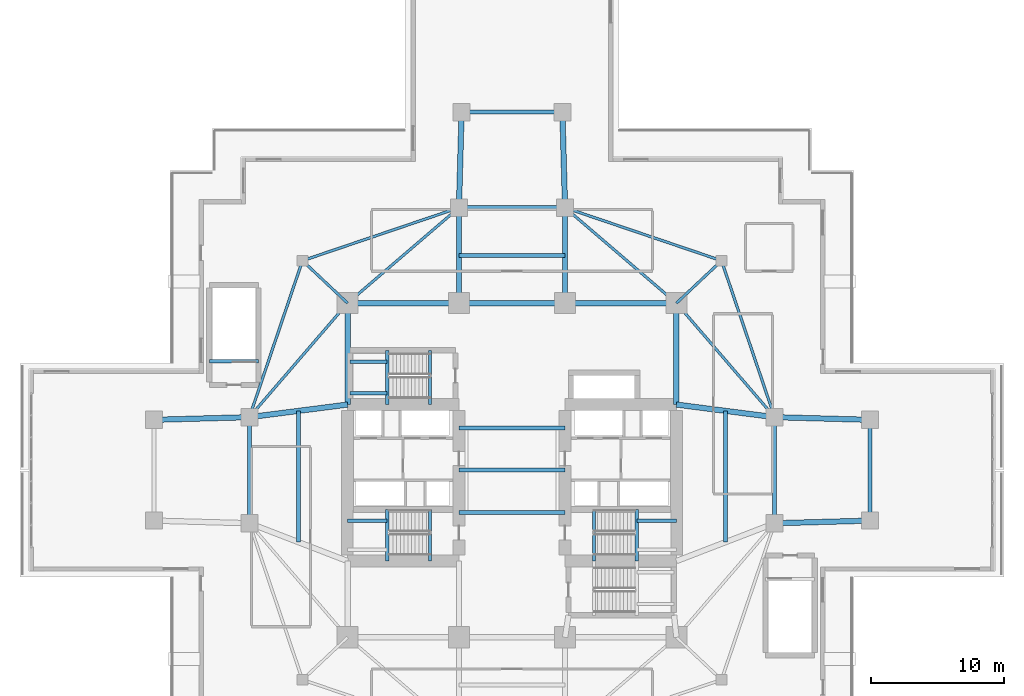
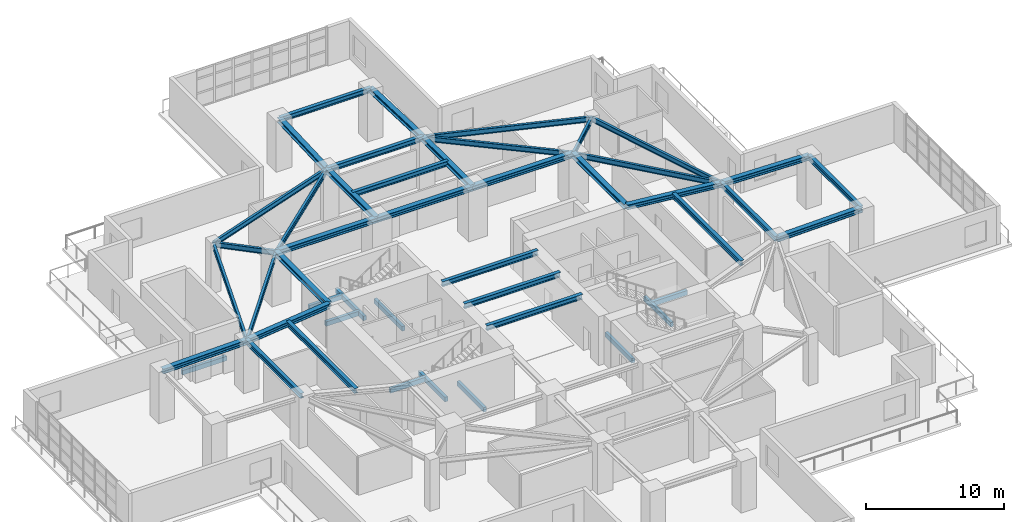
# One storey, part 10 of 24: 46 beams.
"""IFC4 building model written with IfcOpenShell, lengths in metres."""

from ifc_helpers import new_model, si_unit, direction, frame, origin, origin_2d, place, context, subcontext, project, spatial, rectangle, i_section, extrude, material, material_profile, profile_set, type_object, element, save


model = new_model("IFC4")

# Units and contexts
model_context = context("Model", 3, precision=1e-05, world=origin(), true_north=direction((0.0, 1.0)))
body_context = subcontext(model_context, "Body", "Model", "MODEL_VIEW")
ifc_project = project(units=[si_unit("LENGTHUNIT", "METRE"), si_unit("AREAUNIT", "SQUARE_METRE"), si_unit("VOLUMEUNIT", "CUBIC_METRE"), si_unit("PLANEANGLEUNIT", "RADIAN"), si_unit("MASSUNIT", "GRAM", prefix="KILO")], contexts=[model_context])

# Site, building, storey
site_placement = place(None, origin())
site = spatial("IfcSite", under=ifc_project, at=site_placement, CompositionType="ELEMENT")
building_placement = place(site_placement, origin())
building = spatial("IfcBuilding", under=site, at=building_placement, Name="Qingluan Cross Belvedere", CompositionType="ELEMENT")
storey_placement = place(building_placement, frame((0.0, 0.0, 19.199951171875)))
storey = spatial("IfcBuildingStorey", under=building, at=storey_placement, Name="L05", CompositionType="ELEMENT", Elevation=19.199951171875)

# Beams
ifc_material_1 = material(Name="Concrete C45", Category="concrete")
ifc_material_profile_1 = material_profile(ifc_material_1, rectangle(XDim=0.25, YDim=0.39990234375, at=origin_2d()), Name="RC250x400")
ifc_profile_set_1 = profile_set([ifc_material_profile_1], Name="Concrete C45")
beam_type_1 = type_object("IfcBeamType", Name="RC_Lintel_RC250x400", PredefinedType="LINTEL", material=ifc_profile_set_1)
for number, where, z_axis, x_axis, name in (
    (1, (-6.179931640625, -6.85009765625, -0.199951171875), (0.0, 1.0, 0.0), (-1.0, 0.0, 0.0), "Stair ST1 landing beam L05"),
    (2, (6.179931640625, -6.85009765625, -0.199951171875), (0.0, 1.0, 0.0), (-1.0, 0.0, 0.0), "Stair ST2 landing beam L05"),
):
    element("IfcBeam", number, at=place(storey_placement, frame(where, z_axis=z_axis, x_axis=x_axis)), inside=storey, type_object=beam_type_1, Name=name, PredefinedType="LINTEL", context=body_context, shape_type="SweptSolid", body=[
        extrude(rectangle(XDim=0.25, YDim=0.39990234375, at=origin_2d()), origin(), (0.0, 0.0, 1.0), 3.89013671875),
    ])
beam_1_placement = place(storey_placement, frame((-6.179931640625, 4.949951171875, -0.199951171875), z_axis=(0.0, 1.0, 0.0), x_axis=(-1.0, 0.0, 0.0)))
element("IfcBeam", 3, at=beam_1_placement, inside=storey, type_object=beam_type_1, Name="Stair ST3 landing beam L05", PredefinedType="LINTEL", context=body_context, shape_type="SweptSolid", body=[
    extrude(rectangle(XDim=0.25, YDim=0.39990234375, at=origin_2d()), origin(), (0.0, 0.0, 1.0), 4.090087890625),
])
beam_2_placement = place(storey_placement, frame((-22.820068359375, 8.2099609375, -0.199951171875), z_axis=(1.0, 0.0, 0.0), x_axis=(0.0, 1.0, 0.0)))
element("IfcBeam", 4, at=beam_2_placement, inside=storey, type_object=beam_type_1, Name="Stair ST5 landing beam L05", PredefinedType="LINTEL", context=body_context, shape_type="SweptSolid", body=[
    extrude(rectangle(XDim=0.25, YDim=0.39990234375, at=origin_2d()), origin(), (0.0, 0.0, 1.0), 3.699951171875),
])
beam_3_placement = place(storey_placement, frame((-9.409912109375, -6.85009765625, 1.85009765625), z_axis=(0.0, 1.0, 0.0), x_axis=(-1.0, 0.0, 0.0)))
element("IfcBeam", 5, at=beam_3_placement, inside=storey, type_object=beam_type_1, Name="Stair ST1 beam A L05", PredefinedType="LINTEL", context=body_context, shape_type="SweptSolid", body=[
    extrude(rectangle(XDim=0.25, YDim=0.39990234375, at=origin_2d()), origin(), (0.0, 0.0, 1.0), 3.89013671875),
])
beam_4_placement = place(storey_placement, frame((-12.39990234375, -3.81005859375, 1.85009765625), z_axis=(1.0, 0.0, 0.0), x_axis=(0.0, 1.0, 0.0)))
element("IfcBeam", 6, at=beam_4_placement, inside=storey, type_object=beam_type_1, Name="Stair ST1 beam C L05", PredefinedType="LINTEL", context=body_context, shape_type="SweptSolid", body=[
    extrude(rectangle(XDim=0.25, YDim=0.39990234375, at=origin_2d()), origin(), (0.0, 0.0, 1.0), 2.989990234375),
])
beam_5_placement = place(storey_placement, frame((9.409912109375, -6.85009765625, 1.85009765625), z_axis=(0.0, 1.0, 0.0), x_axis=(-1.0, 0.0, 0.0)))
element("IfcBeam", 7, at=beam_5_placement, inside=storey, type_object=beam_type_1, Name="Stair ST2 beam A L05", PredefinedType="LINTEL", context=body_context, shape_type="SweptSolid", body=[
    extrude(rectangle(XDim=0.25, YDim=0.39990234375, at=origin_2d()), origin(), (0.0, 0.0, 1.0), 3.89013671875),
])
beam_6_placement = place(storey_placement, frame((12.39990234375, -3.81005859375, 1.85009765625), z_axis=(-1.0, 0.0, 0.0), x_axis=(0.0, -1.0, 0.0)))
element("IfcBeam", 8, at=beam_6_placement, inside=storey, type_object=beam_type_1, Name="Stair ST2 beam C L05", PredefinedType="LINTEL", context=body_context, shape_type="SweptSolid", body=[
    extrude(rectangle(XDim=0.25, YDim=0.39990234375, at=origin_2d()), origin(), (0.0, 0.0, 1.0), 2.989990234375),
])
beam_7_placement = place(storey_placement, frame((-9.409912109375, 4.949951171875, 1.85009765625), z_axis=(0.0, 1.0, 0.0), x_axis=(-1.0, 0.0, 0.0)))
element("IfcBeam", 9, at=beam_7_placement, inside=storey, type_object=beam_type_1, Name="Stair ST3 beam A L05", PredefinedType="LINTEL", context=body_context, shape_type="SweptSolid", body=[
    extrude(rectangle(XDim=0.25, YDim=0.39990234375, at=origin_2d()), origin(), (0.0, 0.0, 1.0), 4.090087890625),
])
for number, where, z_axis, x_axis, name in (
    (10, (-12.219970703125, 5.800048828125, 1.85009765625), (1.0, 0.0, 0.0), (0.0, 1.0, 0.0), "Stair ST3 beam B L05"),
    (11, (-12.219970703125, 8.18994140625, 1.85009765625), (1.0, 0.0, 0.0), (0.0, 1.0, 0.0), "Stair ST3 beam C L05"),
):
    element("IfcBeam", number, at=place(storey_placement, frame(where, z_axis=z_axis, x_axis=x_axis)), inside=storey, type_object=beam_type_1, Name=name, PredefinedType="LINTEL", context=body_context, shape_type="SweptSolid", body=[
        extrude(rectangle(XDim=0.25, YDim=0.39990234375, at=origin_2d()), origin(), (0.0, 0.0, 1.0), 2.81005859375),
    ])
ifc_material_2 = material(Name="Steel Q420GJB", Category="steel")
ifc_material_profile_2 = material_profile(ifc_material_2, i_section(OverallWidth=0.300048828125, OverallDepth=0.43994140625, WebThickness=0.010986328125, FlangeThickness=0.01806640625, FilletRadius=0.02001953125, at=origin_2d()), Name="HM440x300x11x18")
ifc_profile_set_2 = profile_set([ifc_material_profile_2], Name="Steel Q420GJB")
beam_type_2 = type_object("IfcBeamType", Name="Steel_Beam_HM440x300x11x18", PredefinedType="BEAM", material=ifc_profile_set_2)
for number, where, z_axis, x_axis, name in (
    (12, (-4.0, -3.199951171875, 4.080078125), (1.0, 0.0, 0.0), (0.0, 1.0, 0.0), "Hall beam L05-CH1"),
    (13, (-4.0, 0.0, 4.080078125), (1.0, 0.0, 0.0), (0.0, 1.0, 0.0), "Hall beam L05-CH2"),
    (14, (-4.0, 3.199951171875, 4.080078125), (1.0, 0.0, 0.0), (0.0, 1.0, 0.0), "Hall beam L05-CH3"),
    (15, (19.800048828125, -4.0, 4.080078125), (0.0, 1.0, 0.0), (-1.0, 0.0, 0.0), "Arm E tie L05"),
):
    element("IfcBeam", number, at=place(storey_placement, frame(where, z_axis=z_axis, x_axis=x_axis)), inside=storey, type_object=beam_type_2, Name=name, PredefinedType="BEAM", context=body_context, shape_type="SweptSolid", body=[
        extrude(i_section(OverallWidth=0.300048828125, OverallDepth=0.43994140625, WebThickness=0.010986328125, FlangeThickness=0.01806640625, FilletRadius=0.02001953125, at=origin_2d()), origin(), (0.0, 0.0, 1.0), 8.0),
    ])
beam_8_placement = place(storey_placement, frame((16.10009765625, -5.425048828125, 4.080078125), z_axis=(0.0, 1.0, 0.0), x_axis=(-1.0, 0.0, 0.0)))
element("IfcBeam", 16, at=beam_8_placement, inside=storey, type_object=beam_type_2, Name="Arm E beam L05", PredefinedType="BEAM", context=body_context, shape_type="SweptSolid", body=[
    extrude(i_section(OverallWidth=0.300048828125, OverallDepth=0.43994140625, WebThickness=0.010986328125, FlangeThickness=0.01806640625, FilletRadius=0.02001953125, at=origin_2d()), origin(), (0.0, 0.0, 1.0), 9.900146484375),
])
beam_9_placement = place(storey_placement, frame((27.0, -3.800048828125, 4.080078125), z_axis=(0.0, 1.0, 0.0), x_axis=(-1.0, 0.0, 0.0)))
element("IfcBeam", 17, at=beam_9_placement, inside=storey, type_object=beam_type_2, Name="Arm E tip transverse beam L05", PredefinedType="BEAM", context=body_context, shape_type="SweptSolid", body=[
    extrude(i_section(OverallWidth=0.300048828125, OverallDepth=0.43994140625, WebThickness=0.010986328125, FlangeThickness=0.01806640625, FilletRadius=0.02001953125, at=origin_2d()), origin(), (0.0, 0.0, 1.0), 7.60009765625),
])
beam_10_placement = place(storey_placement, frame((-19.800048828125, -4.0, 4.080078125), z_axis=(0.0, 1.0, 0.0), x_axis=(-1.0, 0.0, 0.0)))
element("IfcBeam", 18, at=beam_10_placement, inside=storey, type_object=beam_type_2, Name="Arm W tie L05", PredefinedType="BEAM", context=body_context, shape_type="SweptSolid", body=[
    extrude(i_section(OverallWidth=0.300048828125, OverallDepth=0.43994140625, WebThickness=0.010986328125, FlangeThickness=0.01806640625, FilletRadius=0.02001953125, at=origin_2d()), origin(), (0.0, 0.0, 1.0), 8.0),
])
beam_11_placement = place(storey_placement, frame((-16.10009765625, -5.425048828125, 4.080078125), z_axis=(0.0, 1.0, 0.0), x_axis=(-1.0, 0.0, 0.0)))
element("IfcBeam", 19, at=beam_11_placement, inside=storey, type_object=beam_type_2, Name="Arm W beam L05", PredefinedType="BEAM", context=body_context, shape_type="SweptSolid", body=[
    extrude(i_section(OverallWidth=0.300048828125, OverallDepth=0.43994140625, WebThickness=0.010986328125, FlangeThickness=0.01806640625, FilletRadius=0.02001953125, at=origin_2d()), origin(), (0.0, 0.0, 1.0), 9.900146484375),
])
for number, where, z_axis, x_axis, name in (
    (20, (-4.0, 19.800048828125, 4.080078125), (1.0, 0.0, 0.0), (0.0, 1.0, 0.0), "Arm N tie L05"),
    (21, (-4.0, 16.199951171875, 4.080078125), (1.0, 0.0, 0.0), (0.0, 1.0, 0.0), "Arm N beam L05"),
):
    element("IfcBeam", number, at=place(storey_placement, frame(where, z_axis=z_axis, x_axis=x_axis)), inside=storey, type_object=beam_type_2, Name=name, PredefinedType="BEAM", context=body_context, shape_type="SweptSolid", body=[
        extrude(i_section(OverallWidth=0.300048828125, OverallDepth=0.43994140625, WebThickness=0.010986328125, FlangeThickness=0.01806640625, FilletRadius=0.02001953125, at=origin_2d()), origin(), (0.0, 0.0, 1.0), 8.0),
    ])
beam_12_placement = place(storey_placement, frame((-3.800048828125, 27.0, 4.080078125), z_axis=(1.0, 0.0, 0.0), x_axis=(0.0, 1.0, 0.0)))
element("IfcBeam", 22, at=beam_12_placement, inside=storey, type_object=beam_type_2, Name="Arm N tip transverse beam L05", PredefinedType="BEAM", context=body_context, shape_type="SweptSolid", body=[
    extrude(i_section(OverallWidth=0.300048828125, OverallDepth=0.43994140625, WebThickness=0.010986328125, FlangeThickness=0.01806640625, FilletRadius=0.02001953125, at=origin_2d()), origin(), (0.0, 0.0, 1.0), 7.60009765625),
])
ifc_material_3 = material(Name="Steel Q420GJB", Category="steel")
ifc_material_profile_3 = material_profile(ifc_material_3, i_section(OverallWidth=0.199951171875, OverallDepth=0.449951171875, WebThickness=0.009033203125, FlangeThickness=0.013916015625, FilletRadius=0.01611328125, at=origin_2d()), Name="HN450x200x9x14")
ifc_profile_set_3 = profile_set([ifc_material_profile_3], Name="Steel Q420GJB")
beam_type_3 = type_object("IfcBeamType", Name="Steel_Beam_HN450x200x9x14", PredefinedType="JOIST", material=ifc_profile_set_3)
beam_13_placement = place(storey_placement, frame((12.39990234375, 12.60009765625, 4.054931640625), z_axis=(0.728219948308, 0.685343495546, 0.0), x_axis=(-0.685343495546, 0.728219948308, 0.0)))
element("IfcBeam", 23, at=beam_13_placement, inside=storey, type_object=beam_type_3, Name="Corner beam 1 L05-RNE", PredefinedType="JOIST", context=body_context, shape_type="SweptSolid", body=[
    extrude(i_section(OverallWidth=0.199951171875, OverallDepth=0.449951171875, WebThickness=0.009033203125, FlangeThickness=0.013916015625, FilletRadius=0.01611328125, at=origin_2d()), origin(), (0.0, 0.0, 1.0), 4.669189453125),
])
for number, where, z_axis, x_axis, name in (
    (24, (15.800048828125, 15.800048828125, 4.054931640625), (-0.947066283324, 0.321038089628, 0.0), (-0.321038089628, -0.947066283324, 0.0), "Corner beam 2 L05-RNE"),
    (25, (15.800048828125, 15.800048828125, 4.054931640625), (0.321038089628, -0.947066283324, 0.0), (0.947066283324, 0.321038089628, 0.0), "Corner beam 3 L05-RNE"),
):
    element("IfcBeam", number, at=place(storey_placement, frame(where, z_axis=z_axis, x_axis=x_axis)), inside=storey, type_object=beam_type_3, Name=name, PredefinedType="JOIST", context=body_context, shape_type="SweptSolid", body=[
        extrude(i_section(OverallWidth=0.199951171875, OverallDepth=0.449951171875, WebThickness=0.009033203125, FlangeThickness=0.013916015625, FilletRadius=0.01611328125, at=origin_2d()), origin(), (0.0, 0.0, 1.0), 12.45947265625),
    ])
beam_14_placement = place(storey_placement, frame((12.39990234375, 12.60009765625, 4.054931640625), z_axis=(0.652245077546, -0.75800815221, 0.0), x_axis=(0.75800815221, 0.652245077546, 0.0)))
element("IfcBeam", 26, at=beam_14_placement, inside=storey, type_object=beam_type_3, Name="Corner beam 4 L05-RNE", PredefinedType="JOIST", context=body_context, shape_type="SweptSolid", body=[
    extrude(i_section(OverallWidth=0.199951171875, OverallDepth=0.449951171875, WebThickness=0.009033203125, FlangeThickness=0.013916015625, FilletRadius=0.01611328125, at=origin_2d()), origin(), (0.0, 0.0, 1.0), 11.345703125),
])
beam_15_placement = place(storey_placement, frame((12.39990234375, 12.60009765625, 4.054931640625), z_axis=(-0.759255044656, 0.650793190779, 0.0), x_axis=(-0.650793190779, -0.759255044656, 0.0)))
element("IfcBeam", 27, at=beam_15_placement, inside=storey, type_object=beam_type_3, Name="Corner beam 5 L05-RNE", PredefinedType="JOIST", context=body_context, shape_type="SweptSolid", body=[
    extrude(i_section(OverallWidth=0.199951171875, OverallDepth=0.449951171875, WebThickness=0.009033203125, FlangeThickness=0.013916015625, FilletRadius=0.01611328125, at=origin_2d()), origin(), (0.0, 0.0, 1.0), 11.063232421875),
])
beam_16_placement = place(storey_placement, frame((-12.39990234375, 12.60009765625, 4.054931640625), z_axis=(-0.728219948308, 0.685343495546, 0.0), x_axis=(-0.685343495546, -0.728219948308, 0.0)))
element("IfcBeam", 28, at=beam_16_placement, inside=storey, type_object=beam_type_3, Name="Corner beam 1 L05-RNW", PredefinedType="JOIST", context=body_context, shape_type="SweptSolid", body=[
    extrude(i_section(OverallWidth=0.199951171875, OverallDepth=0.449951171875, WebThickness=0.009033203125, FlangeThickness=0.013916015625, FilletRadius=0.01611328125, at=origin_2d()), origin(), (0.0, 0.0, 1.0), 4.669189453125),
])
for number, where, z_axis, x_axis, name in (
    (29, (-15.800048828125, 15.800048828125, 4.054931640625), (0.947066283324, 0.321038089628, 0.0), (-0.321038089628, 0.947066283324, 0.0), "Corner beam 2 L05-RNW"),
    (30, (-15.800048828125, 15.800048828125, 4.054931640625), (-0.321038089628, -0.947066283324, 0.0), (0.947066283324, -0.321038089628, 0.0), "Corner beam 3 L05-RNW"),
):
    element("IfcBeam", number, at=place(storey_placement, frame(where, z_axis=z_axis, x_axis=x_axis)), inside=storey, type_object=beam_type_3, Name=name, PredefinedType="JOIST", context=body_context, shape_type="SweptSolid", body=[
        extrude(i_section(OverallWidth=0.199951171875, OverallDepth=0.449951171875, WebThickness=0.009033203125, FlangeThickness=0.013916015625, FilletRadius=0.01611328125, at=origin_2d()), origin(), (0.0, 0.0, 1.0), 12.45947265625),
    ])
beam_17_placement = place(storey_placement, frame((-12.39990234375, 12.60009765625, 4.054931640625), z_axis=(-0.652245077546, -0.75800815221, 0.0), x_axis=(0.75800815221, -0.652245077546, 0.0)))
element("IfcBeam", 31, at=beam_17_placement, inside=storey, type_object=beam_type_3, Name="Corner beam 4 L05-RNW", PredefinedType="JOIST", context=body_context, shape_type="SweptSolid", body=[
    extrude(i_section(OverallWidth=0.199951171875, OverallDepth=0.449951171875, WebThickness=0.009033203125, FlangeThickness=0.013916015625, FilletRadius=0.01611328125, at=origin_2d()), origin(), (0.0, 0.0, 1.0), 11.345703125),
])
beam_18_placement = place(storey_placement, frame((-12.39990234375, 12.60009765625, 4.054931640625), z_axis=(0.759255044656, 0.650793190779, 0.0), x_axis=(-0.650793190779, 0.759255044656, 0.0)))
element("IfcBeam", 32, at=beam_18_placement, inside=storey, type_object=beam_type_3, Name="Corner beam 5 L05-RNW", PredefinedType="JOIST", context=body_context, shape_type="SweptSolid", body=[
    extrude(i_section(OverallWidth=0.199951171875, OverallDepth=0.449951171875, WebThickness=0.009033203125, FlangeThickness=0.013916015625, FilletRadius=0.01611328125, at=origin_2d()), origin(), (0.0, 0.0, 1.0), 11.063232421875),
])
ifc_material_4 = material(Name="Steel Q420GJB", Category="steel")
ifc_material_profile_4 = material_profile(ifc_material_4, i_section(OverallWidth=0.406982421875, OverallDepth=0.427978515625, WebThickness=0.02001953125, FlangeThickness=0.034912109375, FilletRadius=0.02197265625, at=origin_2d()), Name="HW428x407x20x35")
ifc_profile_set_4 = profile_set([ifc_material_profile_4], Name="Steel Q420GJB")
beam_type_4 = type_object("IfcBeamType", Name="Steel_Girder_HW428x407x20x35", PredefinedType="USERDEFINED", material=ifc_profile_set_4)
beam_19_placement = place(storey_placement, frame((-12.39990234375, 12.60009765625, 4.0859375), z_axis=(1.0, 0.0, 0.0), x_axis=(0.0, 1.0, 0.0)))
element("IfcBeam", 33, at=beam_19_placement, inside=storey, type_object=beam_type_4, Name="Hub girder L05-HG-N1", ObjectType="GIRDER", PredefinedType="USERDEFINED", context=body_context, shape_type="SweptSolid", body=[
    extrude(i_section(OverallWidth=0.406982421875, OverallDepth=0.427978515625, WebThickness=0.02001953125, FlangeThickness=0.034912109375, FilletRadius=0.02197265625, at=origin_2d()), origin(), (0.0, 0.0, 1.0), 8.39990234375),
])
beam_20_placement = place(storey_placement, frame((-4.0, 12.60009765625, 4.0859375), z_axis=(1.0, 0.0, 0.0), x_axis=(0.0, 1.0, 0.0)))
element("IfcBeam", 34, at=beam_20_placement, inside=storey, type_object=beam_type_4, Name="Hub girder L05-HG-N2", ObjectType="GIRDER", PredefinedType="USERDEFINED", context=body_context, shape_type="SweptSolid", body=[
    extrude(i_section(OverallWidth=0.406982421875, OverallDepth=0.427978515625, WebThickness=0.02001953125, FlangeThickness=0.034912109375, FilletRadius=0.02197265625, at=origin_2d()), origin(), (0.0, 0.0, 1.0), 8.0),
])
beam_21_placement = place(storey_placement, frame((4.0, 12.60009765625, 4.0859375), z_axis=(1.0, 0.0, 0.0), x_axis=(0.0, 1.0, 0.0)))
element("IfcBeam", 35, at=beam_21_placement, inside=storey, type_object=beam_type_4, Name="Hub girder L05-HG-N3", ObjectType="GIRDER", PredefinedType="USERDEFINED", context=body_context, shape_type="SweptSolid", body=[
    extrude(i_section(OverallWidth=0.406982421875, OverallDepth=0.427978515625, WebThickness=0.02001953125, FlangeThickness=0.034912109375, FilletRadius=0.02197265625, at=origin_2d()), origin(), (0.0, 0.0, 1.0), 8.39990234375),
])
for number, where, z_axis, x_axis, name in (
    (36, (-12.39990234375, 4.949951171875, 4.0859375), (0.0, 1.0, 0.0), (-1.0, 0.0, 0.0), "Hub girder L05-HG-W2"),
    (37, (12.39990234375, 4.949951171875, 4.0859375), (0.0, 1.0, 0.0), (-1.0, 0.0, 0.0), "Hub girder L05-HG-E2"),
):
    element("IfcBeam", number, at=place(storey_placement, frame(where, z_axis=z_axis, x_axis=x_axis)), inside=storey, type_object=beam_type_4, Name=name, ObjectType="GIRDER", PredefinedType="USERDEFINED", context=body_context, shape_type="SweptSolid", body=[
        extrude(i_section(OverallWidth=0.406982421875, OverallDepth=0.427978515625, WebThickness=0.02001953125, FlangeThickness=0.034912109375, FilletRadius=0.02197265625, at=origin_2d()), origin(), (0.0, 0.0, 1.0), 7.650146484375),
    ])
beam_22_placement = place(storey_placement, frame((12.39990234375, 4.949951171875, 4.0859375), z_axis=(0.991861120628, -0.12732445714, 0.0), x_axis=(0.12732445714, 0.991861120628, 0.0)))
element("IfcBeam", 38, at=beam_22_placement, inside=storey, type_object=beam_type_4, Name="Arm E radial girder B L05", ObjectType="GIRDER", PredefinedType="USERDEFINED", context=body_context, shape_type="SweptSolid", body=[
    extrude(i_section(OverallWidth=0.406982421875, OverallDepth=0.427978515625, WebThickness=0.02001953125, FlangeThickness=0.034912109375, FilletRadius=0.02197265625, at=origin_2d()), origin(), (0.0, 0.0, 1.0), 7.4609375),
])
for number, where, z_axis, x_axis, name in (
    (39, (19.800048828125, -4.0, 4.0859375), (0.999614603568, 0.027760481514, 0.0), (-0.027760481514, 0.999614603568, 0.0), "Arm E outer radial girder A L05"),
    (40, (19.800048828125, 4.0, 4.0859375), (0.999614603568, -0.027760481514, 0.0), (0.027760481514, 0.999614603568, 0.0), "Arm E outer radial girder B L05"),
):
    element("IfcBeam", number, at=place(storey_placement, frame(where, z_axis=z_axis, x_axis=x_axis)), inside=storey, type_object=beam_type_4, Name=name, ObjectType="GIRDER", PredefinedType="USERDEFINED", context=body_context, shape_type="SweptSolid", body=[
        extrude(i_section(OverallWidth=0.406982421875, OverallDepth=0.427978515625, WebThickness=0.02001953125, FlangeThickness=0.034912109375, FilletRadius=0.02197265625, at=origin_2d()), origin(), (0.0, 0.0, 1.0), 7.20263671875),
    ])
beam_23_placement = place(storey_placement, frame((-12.39990234375, 4.949951171875, 4.0859375), z_axis=(-0.991861120628, -0.12732445714, 0.0), x_axis=(0.12732445714, -0.991861120628, 0.0)))
element("IfcBeam", 41, at=beam_23_placement, inside=storey, type_object=beam_type_4, Name="Arm W radial girder B L05", ObjectType="GIRDER", PredefinedType="USERDEFINED", context=body_context, shape_type="SweptSolid", body=[
    extrude(i_section(OverallWidth=0.406982421875, OverallDepth=0.427978515625, WebThickness=0.02001953125, FlangeThickness=0.034912109375, FilletRadius=0.02197265625, at=origin_2d()), origin(), (0.0, 0.0, 1.0), 7.4609375),
])
beam_24_placement = place(storey_placement, frame((-19.800048828125, 4.0, 4.0859375), z_axis=(-0.999614603568, -0.027760481514, 0.0), x_axis=(0.027760481514, -0.999614603568, 0.0)))
element("IfcBeam", 42, at=beam_24_placement, inside=storey, type_object=beam_type_4, Name="Arm W outer radial girder B L05", ObjectType="GIRDER", PredefinedType="USERDEFINED", context=body_context, shape_type="SweptSolid", body=[
    extrude(i_section(OverallWidth=0.406982421875, OverallDepth=0.427978515625, WebThickness=0.02001953125, FlangeThickness=0.034912109375, FilletRadius=0.02197265625, at=origin_2d()), origin(), (0.0, 0.0, 1.0), 7.20263671875),
])
for number, where, z_axis, x_axis, name in (
    (43, (-4.0, 12.60009765625, 4.0859375), (0.0, 1.0, 0.0), (-1.0, 0.0, 0.0), "Arm N radial girder A L05"),
    (44, (4.0, 12.60009765625, 4.0859375), (0.0, 1.0, 0.0), (-1.0, 0.0, 0.0), "Arm N radial girder B L05"),
):
    element("IfcBeam", number, at=place(storey_placement, frame(where, z_axis=z_axis, x_axis=x_axis)), inside=storey, type_object=beam_type_4, Name=name, ObjectType="GIRDER", PredefinedType="USERDEFINED", context=body_context, shape_type="SweptSolid", body=[
        extrude(i_section(OverallWidth=0.406982421875, OverallDepth=0.427978515625, WebThickness=0.02001953125, FlangeThickness=0.034912109375, FilletRadius=0.02197265625, at=origin_2d()), origin(), (0.0, 0.0, 1.0), 7.199951171875),
    ])
for number, where, z_axis, x_axis, name in (
    (45, (-4.0, 19.800048828125, 4.0859375), (0.027760481514, 0.999614603568, 0.0), (-0.999614603568, 0.027760481514, 0.0), "Arm N outer radial girder A L05"),
    (46, (4.0, 19.800048828125, 4.0859375), (-0.027760481514, 0.999614603568, 0.0), (-0.999614603568, -0.027760481514, 0.0), "Arm N outer radial girder B L05"),
):
    element("IfcBeam", number, at=place(storey_placement, frame(where, z_axis=z_axis, x_axis=x_axis)), inside=storey, type_object=beam_type_4, Name=name, ObjectType="GIRDER", PredefinedType="USERDEFINED", context=body_context, shape_type="SweptSolid", body=[
        extrude(i_section(OverallWidth=0.406982421875, OverallDepth=0.427978515625, WebThickness=0.02001953125, FlangeThickness=0.034912109375, FilletRadius=0.02197265625, at=origin_2d()), origin(), (0.0, 0.0, 1.0), 7.20263671875),
    ])

save(model, "model.ifc")
